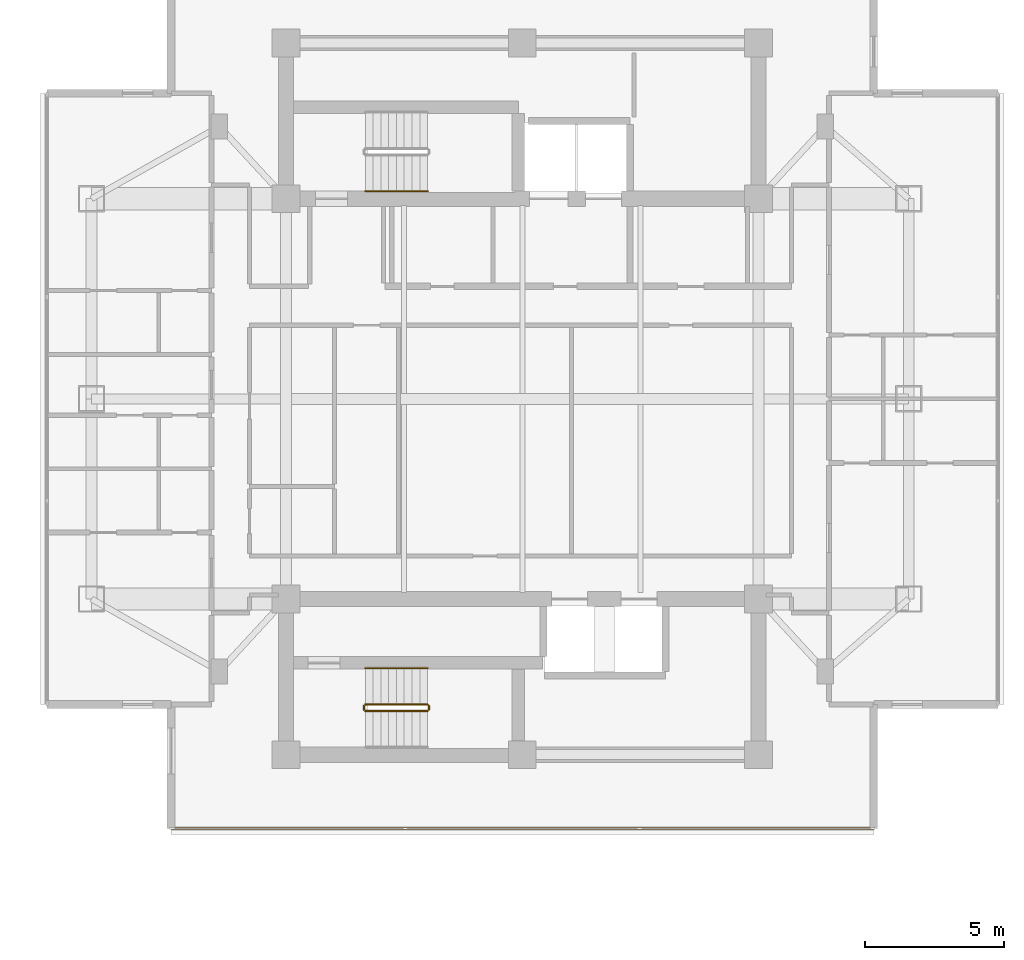
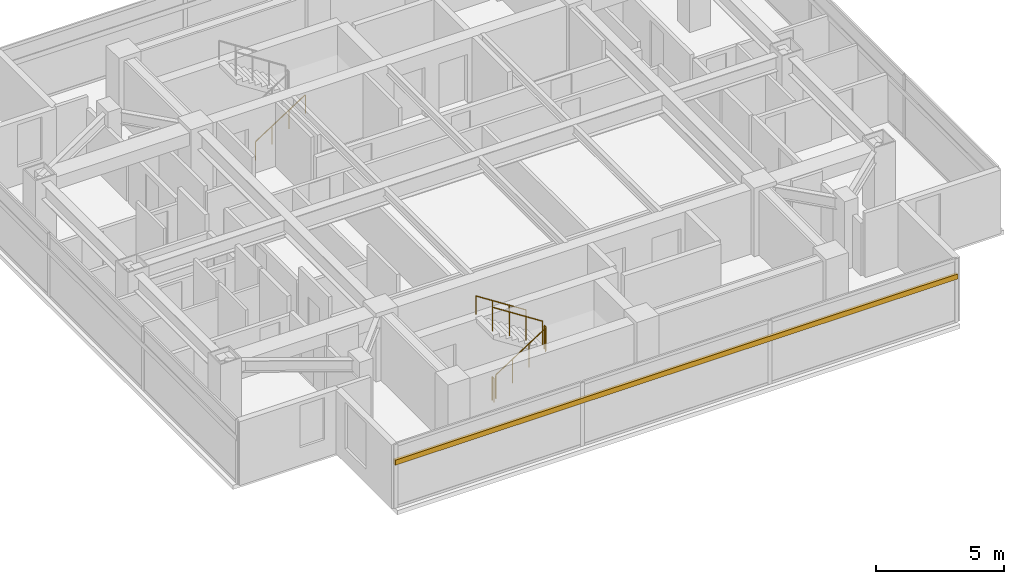
# One storey, part 22 of 24: 6 railings, 1 shading device.
"""IFC4 building model written with IfcOpenShell, lengths in metres."""

import ifcopenshell
import ifcopenshell.guid

model = None  # the IFC model being written
_history = None  # IfcOwnerHistory: only IFC2X3 demands one
_inside = {}  # id of a spatial element -> (the spatial element, [elements in it])
_under = {}  # id of a project, library or spatial element -> (it, [spatial elements below it])
_declared = {}  # id of a project -> (the project, [libraries it declares])
_typed = {}  # id of a type object -> (the type object, [elements of that type])
_made_of = {}  # id of a material, layer set ... -> (it, [elements and type objects made of it])


def new_model(schema):
    """Start an empty IFC model of exactly this schema.

    Asked for "IFC4X3", IfcOpenShell would pick the latest addendum, in which some entities
    have other attributes; the version numbers below select the first issue.
    IFC2X3 requires an IfcOwnerHistory on every rooted entity: one is made here for all.
    """
    global model, _history
    if schema == "IFC4X3":
        model = ifcopenshell.file(schema_version=(4, 3, 0, 0))
    else:
        model = ifcopenshell.file(schema=schema)
    _inside.clear()
    _under.clear()
    _declared.clear()
    _typed.clear()
    _made_of.clear()
    _history = None
    if model.schema == "IFC2X3":
        org = make("IfcOrganization", Name="unknown")
        user = make(
            "IfcPersonAndOrganization",
            ThePerson=make("IfcPerson", FamilyName="unknown"),
            TheOrganization=org,
        )
        app = make(
            "IfcApplication",
            ApplicationDeveloper=org,
            Version="unknown",
            ApplicationFullName="unknown",
            ApplicationIdentifier="unknown",
        )
        _history = make(
            "IfcOwnerHistory",
            OwningUser=user,
            OwningApplication=app,
            ChangeAction="ADDED",
            CreationDate=0,
        )
    return model


def make(cls, **values):
    """One entity of the class cls with the attributes given. An attribute that is None is left unset."""
    return model.create_entity(
        cls, **{name: value for name, value in values.items() if value is not None}
    )


def rooted(cls, **values):
    """An entity with a GlobalId (a new one), such as an element, a storey or a relation."""
    return make(cls, GlobalId=ifcopenshell.guid.new(), OwnerHistory=_history, **values)


def si_unit(unit_type, name, prefix=None):
    """IfcSIUnit, for example si_unit("LENGTHUNIT", "METRE", prefix="MILLI")."""
    return make("IfcSIUnit", UnitType=unit_type, Prefix=prefix, Name=name)


def assignment(units):
    """IfcUnitAssignment: the units of a project."""
    return None if units is None else make("IfcUnitAssignment", Units=units)


def point(xyz):
    """IfcCartesianPoint."""
    return None if xyz is None else make("IfcCartesianPoint", Coordinates=xyz)


def direction(xyz):
    """IfcDirection."""
    return None if xyz is None else make("IfcDirection", DirectionRatios=xyz)


def frame(location, z_axis=None, x_axis=None):
    """IfcAxis2Placement3D, a coordinate frame: its origin and axes. An axis left out is left unset."""
    return make(
        "IfcAxis2Placement3D",
        Location=point(location),
        Axis=direction(z_axis),
        RefDirection=direction(x_axis),
    )


def frame_2d(location, x_axis=None):
    """IfcAxis2Placement2D, a coordinate frame in the plane: its origin and x axis."""
    return make(
        "IfcAxis2Placement2D", Location=point(location), RefDirection=direction(x_axis)
    )


def origin():
    """The frame at (0, 0, 0) with its axes left unset."""
    return frame((0.0, 0.0, 0.0))


def origin_2d():
    """The frame at (0, 0) in the plane with its x axis left unset."""
    return frame_2d((0.0, 0.0))


def place(relative_to, where):
    """IfcLocalPlacement: puts the frame where relative to a parent placement (None: the world)."""
    return make(
        "IfcLocalPlacement", PlacementRelTo=relative_to, RelativePlacement=where
    )


def context(
    kind, dimensions, precision=None, world=None, true_north=None, identifier=None
):
    """IfcGeometricRepresentationContext, for example the 3D "Model" context."""
    return make(
        "IfcGeometricRepresentationContext",
        ContextIdentifier=identifier,
        ContextType=kind,
        CoordinateSpaceDimension=dimensions,
        Precision=precision,
        WorldCoordinateSystem=world,
        TrueNorth=true_north,
    )


def subcontext(parent, identifier, kind, view, scale=None):
    """IfcGeometricRepresentationSubContext, for example "Body" below "Model"."""
    return make(
        "IfcGeometricRepresentationSubContext",
        ContextIdentifier=identifier,
        ContextType=kind,
        ParentContext=parent,
        TargetScale=scale,
        TargetView=view,
    )


def project(units=None, contexts=None):
    """IfcProject with its units and contexts."""
    return rooted(
        "IfcProject",
        Name="project",
        RepresentationContexts=contexts,
        UnitsInContext=assignment(units),
    )


def spatial(cls, under=None, at=None, **own):
    """A site, building, storey or space (cls), placed at a placement, below another one or the project."""
    s = rooted(cls, ObjectPlacement=at, **own)
    if under is not None:
        _under.setdefault(under.id(), (under, []))[1].append(s)
    return s


def profile(cls, at=None, kind="AREA", **sizes):
    """A parametric profile (cls). Its sizes go by their IFC names, for example OverallWidth=200.0."""
    return make(cls, ProfileType=kind, Position=at, **sizes)


def rectangle(**sizes):
    """IfcRectangleProfileDef."""
    return profile("IfcRectangleProfileDef", **sizes)


def circle(**sizes):
    """IfcCircleProfileDef."""
    return profile("IfcCircleProfileDef", **sizes)


def extrude(swept, where, along, depth):
    """IfcExtrudedAreaSolid: the profile swept, set in the frame where, extruded along a direction by depth."""
    return make(
        "IfcExtrudedAreaSolid",
        SweptArea=swept,
        Position=where,
        ExtrudedDirection=direction(along),
        Depth=depth,
    )


def shape(context_of_items, identifier, shape_type, items):
    """IfcShapeRepresentation: the items that make up one representation, for example the "Body"."""
    return make(
        "IfcShapeRepresentation",
        ContextOfItems=context_of_items,
        RepresentationIdentifier=identifier,
        RepresentationType=shape_type,
        Items=items,
    )


def material(Name=None, Category=None):
    """IfcMaterial."""
    return make("IfcMaterial", Name=Name, Category=Category)


def material_profile(
    of_material, cross_section, Name=None, Category=None, Priority=None
):
    """IfcMaterialProfile: a cross section and its material."""
    return make(
        "IfcMaterialProfile",
        Name=Name,
        Material=of_material,
        Profile=cross_section,
        Priority=Priority,
        Category=Category,
    )


def profile_set(profiles, Name=None, composite=None):
    """IfcMaterialProfileSet."""
    return make(
        "IfcMaterialProfileSet",
        Name=Name,
        MaterialProfiles=profiles,
        CompositeProfile=composite,
    )


def made_of(thing, what):
    """Note that an element or type object is made of a material, layer set ...; save() writes the relation."""
    if what is not None:
        _made_of.setdefault(what.id(), (what, []))[1].append(thing)
    return thing


def type_object(cls, material=None, **own):
    """A type object (cls), such as IfcWallType, which elements share."""
    return made_of(rooted(cls, **own), material)


def element(
    cls,
    number,
    at=None,
    inside=None,
    cuts=None,
    type_object=None,
    material=None,
    context=None,
    identifier="Body",
    shape_type=None,
    held_by="IfcProductDefinitionShape",
    body=None,
    shapes=None,
    **own,
):
    """One element of the class cls, such as IfcWall. Its Tag is "e" and its number.

    at: its placement. inside: the storey or other place that contains it. cuts: it is an
    opening in that element (IfcRelVoidsElement). A single representation is given by context,
    identifier, shape_type and body (its items); several are given by shapes. held_by: the class
    of the entity that holds the representations. save() writes the other relations.
    """
    e = rooted(cls, Tag="e%d" % number, ObjectPlacement=at, **own)
    if body is not None:
        shapes = [shape(context, identifier, shape_type, body)]
    if shapes is not None:
        e.Representation = make(held_by, Representations=shapes)
    if inside is not None:
        _inside.setdefault(inside.id(), (inside, []))[1].append(e)
    if cuts is not None:
        rooted(
            "IfcRelVoidsElement", RelatingBuildingElement=cuts, RelatedOpeningElement=e
        )
    if type_object is not None:
        _typed.setdefault(type_object.id(), (type_object, []))[1].append(e)
    return made_of(e, material)


def aggregate(whole, parts):
    """IfcRelAggregates: a whole, such as a stair, and the parts it consists of."""
    return rooted("IfcRelAggregates", RelatingObject=whole, RelatedObjects=parts)


def save(model, path):
    """Write the relations noted so far, then the file.

    IfcRelAggregates (storeys below a building ...), IfcRelContainedInSpatialStructure (elements
    in a storey), IfcRelDefinesByType, IfcRelAssociatesMaterial and IfcRelDeclares: one each for
    every whole, place, type object, material and project.
    """
    for whole, parts in _under.values():
        aggregate(whole, parts)
    for where, things in _inside.values():
        rooted(
            "IfcRelContainedInSpatialStructure",
            RelatedElements=things,
            RelatingStructure=where,
        )
    for kind, things in _typed.values():
        rooted("IfcRelDefinesByType", RelatedObjects=things, RelatingType=kind)
    for what, things in _made_of.values():
        rooted("IfcRelAssociatesMaterial", RelatedObjects=things, RelatingMaterial=what)
    for by, libraries in _declared.values():
        rooted("IfcRelDeclares", RelatingContext=by, RelatedDefinitions=libraries)
    model.write(path)


model = new_model("IFC4")

# Units and contexts
model_context = context("Model", 3, precision=1e-05, world=origin(), true_north=direction((0.0, 1.0)))
body_context = subcontext(model_context, "Body", "Model", "MODEL_VIEW")
ifc_project = project(units=[si_unit("LENGTHUNIT", "METRE"), si_unit("AREAUNIT", "SQUARE_METRE"), si_unit("VOLUMEUNIT", "CUBIC_METRE"), si_unit("PLANEANGLEUNIT", "RADIAN"), si_unit("MASSUNIT", "GRAM", prefix="KILO")], contexts=[model_context])

# Site, building, storey
site_placement = place(None, origin())
site = spatial("IfcSite", under=ifc_project, at=site_placement, CompositionType="ELEMENT")
building_placement = place(site_placement, origin())
building = spatial("IfcBuilding", under=site, at=building_placement, Name="Mirazonda Arch Towers", CompositionType="ELEMENT")
storey_placement = place(building_placement, frame((0.0, 0.0, 160.89990234375)))
storey = spatial("IfcBuildingStorey", under=building, at=storey_placement, Name="L45", CompositionType="ELEMENT", Elevation=160.89990234375)

# Shading device
ifc_material_1 = material(Name="Kiln-Fired Architectural Terracotta", Category="masonry")
ifc_material_profile = material_profile(ifc_material_1, rectangle(XDim=0.1201171875, YDim=0.239990234375, at=origin_2d()), Name="TERRA-BAG-120x240")
ifc_profile_set = profile_set([ifc_material_profile], Name="Kiln-Fired Architectural Terracotta")
shading_device_type = type_object("IfcShadingDeviceType", Name="BAGUETTE-1", PredefinedType="USERDEFINED", material=ifc_profile_set)
shading_device_placement = place(storey_placement, frame((89.143310546875, 12.5419921875, 2.181640625), z_axis=(-1.0, 0.0, 0.0), x_axis=(0.0, -1.0, 0.0)))
element("IfcShadingDevice", 1, at=shading_device_placement, inside=storey, type_object=shading_device_type, Name="L45 Glazed Terracotta Sun-Screen Baguette CW-L45-T2-S", ObjectType="BAGUETTE", PredefinedType="USERDEFINED", context=body_context, shape_type="SweptSolid", body=[
    extrude(rectangle(XDim=0.1201171875, YDim=0.239990234375, at=origin_2d()), origin(), (0.0, 0.0, 1.0), 25.28662109375),
])

# Railings
ifc_material_2 = material(Name="Architectural Brushed Steel S355", Category="steel")
railing_type_1 = type_object("IfcRailingType", Name="GUARD-STAIR-1120", PredefinedType="GUARDRAIL", material=ifc_material_2)
railing_1_placement = place(storey_placement, frame((70.85009765625, 16.77001953125, 0.1806640625)))
element("IfcRailing", 2, at=railing_1_placement, inside=storey, type_object=railing_type_1, Name="L45 ST-T2S stair guard 1", PredefinedType="GUARDRAIL", context=body_context, shape_type="SweptSolid", body=[
    extrude(circle(Radius=0.02392578125, at=origin_2d()), frame((0.0, 0.0, 1.1259765625), z_axis=(0.840436612492, 0.0, 0.541909863706), x_axis=(0.0, 1.0, 0.0)), (0.0, 0.0, 1.0), 2.665283203125),
    extrude(circle(Radius=0.02099609375, at=origin_2d()), origin(), (0.0, 0.0, 1.0), 1.101806640625),
    extrude(circle(Radius=0.02099609375, at=origin_2d()), frame((0.74658203125, 0.0, 0.4814453125)), (0.0, 0.0, 1.0), 1.101806640625),
    extrude(circle(Radius=0.02099609375, at=origin_2d()), frame((1.493408203125, 0.0, 0.962890625)), (0.0, 0.0, 1.0), 1.101806640625),
    extrude(circle(Radius=0.02099609375, at=origin_2d()), frame((2.239990234375, 0.0, 1.4443359375)), (0.0, 0.0, 1.0), 1.101806640625),
])
railing_2_placement = place(storey_placement, frame((73.139892578125, 16.820068359375, 1.625)))
element("IfcRailing", 3, at=railing_2_placement, inside=storey, type_object=railing_type_1, Name="L45 ST-T2S stair guard 2", PredefinedType="GUARDRAIL", context=body_context, shape_type="SweptSolid", body=[
    extrude(circle(Radius=0.02392578125, at=origin_2d()), frame((0.0, 0.0, 1.1259765625), z_axis=(0.0, 1.0, 0.0), x_axis=(-1.0, 0.0, 0.0)), (0.0, 0.0, 1.0), 0.139892578125),
    extrude(circle(Radius=0.02099609375, at=origin_2d()), origin(), (0.0, 0.0, 1.0), 1.101806640625),
    extrude(circle(Radius=0.02099609375, at=origin_2d()), frame((0.0, 0.139892578125, 0.0)), (0.0, 0.0, 1.0), 1.101806640625),
])
railing_3_placement = place(storey_placement, frame((73.090087890625, 17.010009765625, 1.8056640625)))
element("IfcRailing", 4, at=railing_3_placement, inside=storey, type_object=railing_type_1, Name="L45 ST-T2S stair guard 3", PredefinedType="GUARDRAIL", context=body_context, shape_type="SweptSolid", body=[
    extrude(circle(Radius=0.02392578125, at=origin_2d()), frame((0.0, 0.0, 1.1259765625), z_axis=(-0.840436612492, 0.0, 0.541909863706), x_axis=(0.0, -1.0, 0.0)), (0.0, 0.0, 1.0), 2.665283203125),
    extrude(circle(Radius=0.02099609375, at=origin_2d()), origin(), (0.0, 0.0, 1.0), 1.101806640625),
    extrude(circle(Radius=0.02099609375, at=origin_2d()), frame((-0.74658203125, 0.0, 0.4814453125)), (0.0, 0.0, 1.0), 1.101806640625),
    extrude(circle(Radius=0.02099609375, at=origin_2d()), frame((-1.493408203125, 0.0, 0.962890625)), (0.0, 0.0, 1.0), 1.101806640625),
    extrude(circle(Radius=0.02099609375, at=origin_2d()), frame((-2.239990234375, 0.0, 1.4443359375)), (0.0, 0.0, 1.0), 1.101806640625),
])
railing_4_placement = place(storey_placement, frame((70.800048828125, 16.820068359375, 0.0)))
element("IfcRailing", 5, at=railing_4_placement, inside=storey, type_object=railing_type_1, Name="L45 ST-T2S stair guard 4", PredefinedType="GUARDRAIL", context=body_context, shape_type="SweptSolid", body=[
    extrude(circle(Radius=0.02392578125, at=origin_2d()), frame((0.0, 0.0, 1.1259765625), z_axis=(0.0, 1.0, 0.0), x_axis=(-1.0, 0.0, 0.0)), (0.0, 0.0, 1.0), 0.139892578125),
    extrude(circle(Radius=0.02099609375, at=origin_2d()), origin(), (0.0, 0.0, 1.0), 1.101806640625),
    extrude(circle(Radius=0.02099609375, at=origin_2d()), frame((0.0, 0.139892578125, 0.0)), (0.0, 0.0, 1.0), 1.101806640625),
])
railing_type_2 = type_object("IfcRailingType", Name="HANDRAIL-915", PredefinedType="HANDRAIL", material=ifc_material_2)
railing_5_placement = place(storey_placement, frame((70.85009765625, 35.469970703125, 0.1806640625)))
element("IfcRailing", 6, at=railing_5_placement, inside=storey, type_object=railing_type_2, Name="L45 ST-T2N stair handrail 1", PredefinedType="HANDRAIL", context=body_context, shape_type="SweptSolid", body=[
    extrude(circle(Radius=0.02392578125, at=origin_2d()), frame((0.0, 0.0, 0.8759765625), z_axis=(0.840436612492, 0.0, 0.541909863706), x_axis=(0.0, 1.0, 0.0)), (0.0, 0.0, 1.0), 2.665283203125),
    extrude(circle(Radius=0.02099609375, at=origin_2d()), origin(), (0.0, 0.0, 1.0), 0.851806640625),
    extrude(circle(Radius=0.02099609375, at=origin_2d()), frame((0.74658203125, 0.0, 0.4814453125)), (0.0, 0.0, 1.0), 0.851806640625),
    extrude(circle(Radius=0.02099609375, at=origin_2d()), frame((1.493408203125, 0.0, 0.962890625)), (0.0, 0.0, 1.0), 0.851806640625),
    extrude(circle(Radius=0.02099609375, at=origin_2d()), frame((2.239990234375, 0.0, 1.4443359375)), (0.0, 0.0, 1.0), 0.851806640625),
])
railing_6_placement = place(storey_placement, frame((73.090087890625, 18.31005859375, 1.8056640625)))
element("IfcRailing", 7, at=railing_6_placement, inside=storey, type_object=railing_type_2, Name="L45 ST-T2S stair handrail 2", PredefinedType="HANDRAIL", context=body_context, shape_type="SweptSolid", body=[
    extrude(circle(Radius=0.02392578125, at=origin_2d()), frame((0.0, 0.0, 0.8759765625), z_axis=(-0.840436612492, 0.0, 0.541909863706), x_axis=(0.0, -1.0, 0.0)), (0.0, 0.0, 1.0), 2.665283203125),
    extrude(circle(Radius=0.02099609375, at=origin_2d()), origin(), (0.0, 0.0, 1.0), 0.851806640625),
    extrude(circle(Radius=0.02099609375, at=origin_2d()), frame((-0.74658203125, 0.0, 0.4814453125)), (0.0, 0.0, 1.0), 0.851806640625),
    extrude(circle(Radius=0.02099609375, at=origin_2d()), frame((-1.493408203125, 0.0, 0.962890625)), (0.0, 0.0, 1.0), 0.851806640625),
    extrude(circle(Radius=0.02099609375, at=origin_2d()), frame((-2.239990234375, 0.0, 1.4443359375)), (0.0, 0.0, 1.0), 0.851806640625),
])

save(model, "model.ifc")
